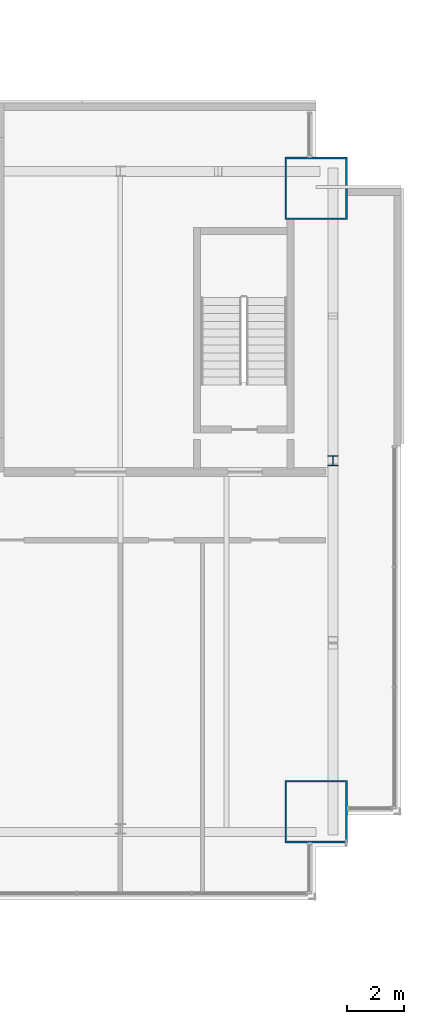
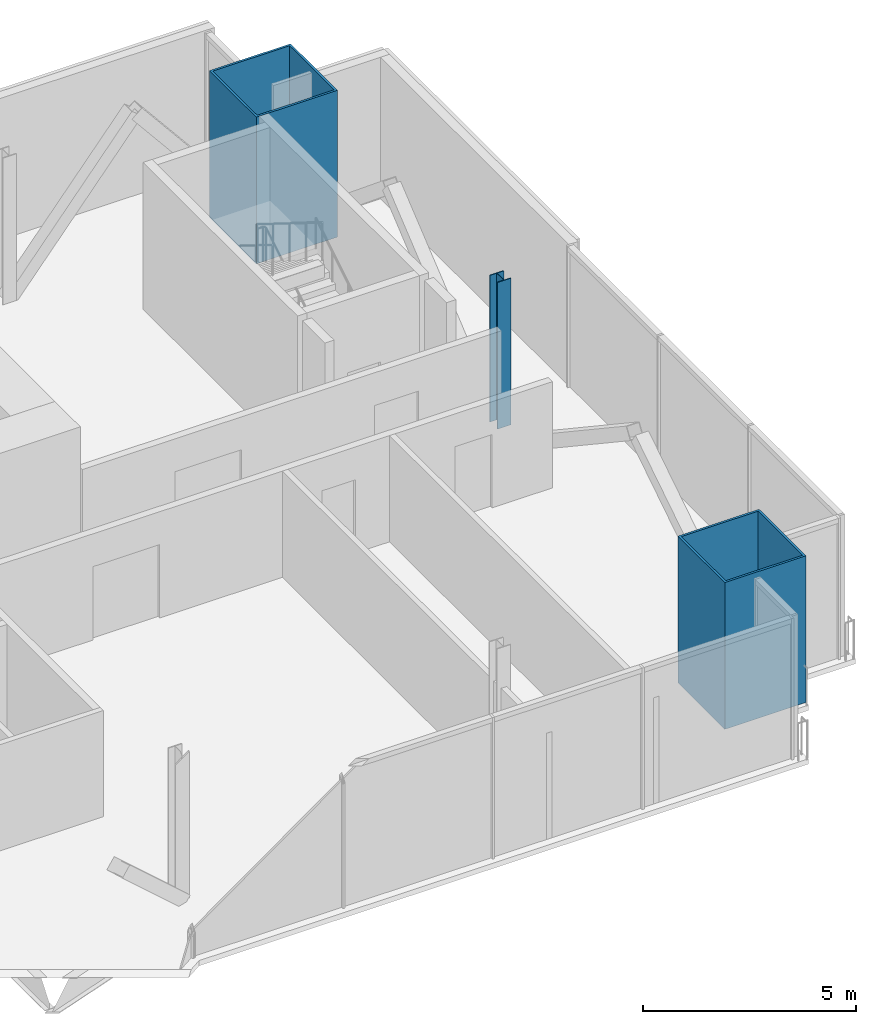
# One storey, part 4 of 19: 3 columns.
"""IFC4 building model written with IfcOpenShell, lengths in metres."""

from ifc_helpers import new_model, si_unit, direction, frame, origin, origin_2d, place, context, subcontext, project, spatial, hollow_rectangle, i_section, extrude, material, material_profile, profile_set, type_object, element, save


model = new_model("IFC4")

# Units and contexts
model_context = context("Model", 3, precision=1e-05, world=origin(), true_north=direction((0.0, 1.0)))
body_context = subcontext(model_context, "Body", "Model", "MODEL_VIEW")
ifc_project = project(units=[si_unit("LENGTHUNIT", "METRE"), si_unit("AREAUNIT", "SQUARE_METRE"), si_unit("VOLUMEUNIT", "CUBIC_METRE"), si_unit("PLANEANGLEUNIT", "RADIAN"), si_unit("MASSUNIT", "GRAM", prefix="KILO")], contexts=[model_context])

# Site, building, storey
site_placement = place(None, origin())
site = spatial("IfcSite", under=ifc_project, at=site_placement, CompositionType="ELEMENT")
building_placement = place(site_placement, origin())
building = spatial("IfcBuilding", under=site, at=building_placement, Name="Bicima Exchange Tower", CompositionType="ELEMENT")
storey_placement = place(building_placement, frame((0.0, 0.0, 279.199951171875)))
storey = spatial("IfcBuildingStorey", under=building, at=storey_placement, Name="L63", CompositionType="ELEMENT", Elevation=279.199951171875)

# Columns
ifc_material_1 = material(Name="Steel ASTM A572 Gr 50", Category="steel")
ifc_material_profile_1 = material_profile(ifc_material_1, hollow_rectangle(XDim=2.199951171875, YDim=2.199951171875, WallThickness=0.06005859375, at=origin_2d()))
ifc_profile_set_1 = profile_set([ifc_material_profile_1], Name="Steel ASTM A572 Gr 50")
column_type_1 = type_object("IfcColumnType", Name="Mega column BOX 2200x2200x60", PredefinedType="COLUMN", material=ifc_profile_set_1)
for number, where, z_axis, x_axis, name in (
    (1, (33.0, -24.969970703125, 0.0), (0.0, 0.0, 1.0), (1.0, 0.0, 0.0), "Mega column mega+33.0f"),
    (2, (33.0, -3.0, 0.0), (0.0, 0.0, 1.0), (1.0, 0.0, 0.0), "Mega column mega+33.0r"),
):
    element("IfcColumn", number, at=place(storey_placement, frame(where, z_axis=z_axis, x_axis=x_axis)), inside=storey, type_object=column_type_1, Name=name, PredefinedType="COLUMN", context=body_context, shape_type="SweptSolid", body=[
        extrude(hollow_rectangle(XDim=2.199951171875, YDim=2.199951171875, WallThickness=0.06005859375, at=origin_2d()), origin(), (0.0, 0.0, 1.0), 4.199951171875),
    ])
ifc_material_2 = material(Name="Steel ASTM A992 Gr 50", Category="steel")
ifc_material_profile_2 = material_profile(ifc_material_2, i_section(OverallWidth=0.370849609375, OverallDepth=0.36328125, WebThickness=0.013427734375, FlangeThickness=0.021728515625, at=origin_2d()))
ifc_profile_set_2 = profile_set([ifc_material_profile_2], Name="Steel ASTM A992 Gr 50")
column_type_2 = type_object("IfcColumnType", Name="Perimeter column W14x109", PredefinedType="COLUMN", material=ifc_profile_set_2)
column_placement = place(storey_placement, frame((33.60009765625, -12.60009765625, 0.0), z_axis=(0.0, 0.0, 1.0), x_axis=(1.0, 0.0, 0.0)))
element("IfcColumn", 3, at=column_placement, inside=storey, type_object=column_type_2, Name="End column end+33.6e", PredefinedType="COLUMN", context=body_context, shape_type="SweptSolid", body=[
    extrude(i_section(OverallWidth=0.370849609375, OverallDepth=0.36328125, WebThickness=0.013427734375, FlangeThickness=0.021728515625, at=origin_2d()), origin(), (0.0, 0.0, 1.0), 4.199951171875),
])

save(model, "model.ifc")
